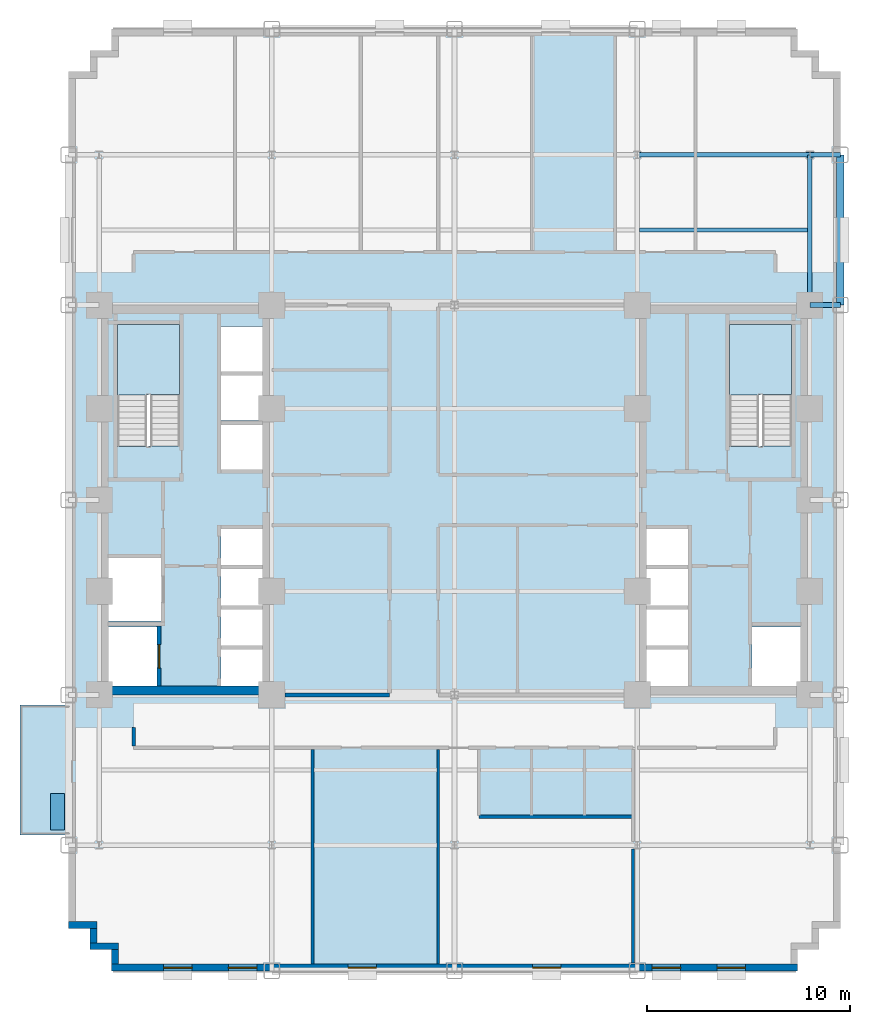
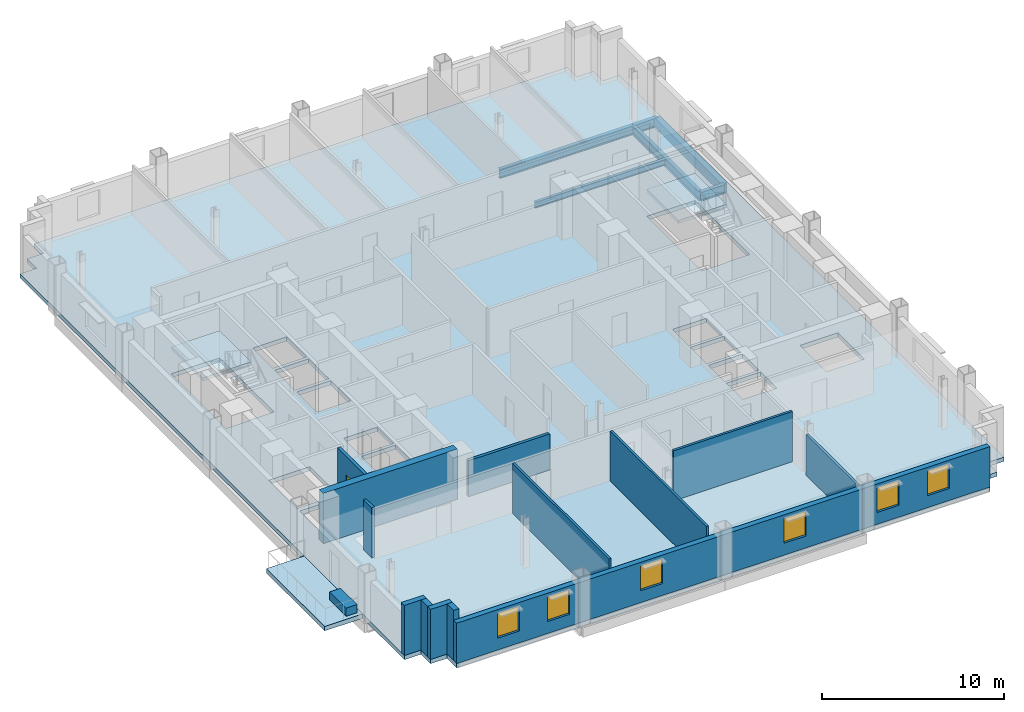
# One storey, part 4 of 12: 13 walls, 6 beams, 6 windows, 4 slabs, 1 door, 1 plate, 7 openings, 2 elements without a shape of their own.
"""IFC4 building model written with IfcOpenShell, lengths in metres."""

from ifc_helpers import new_model, si_unit, direction, frame, frame_2d, origin, origin_2d, place, context, subcontext, project, spatial, polyline, rectangle, i_section, outline, extrude, source, transform, mapped, material, layer, layer_set, material_profile, profile_set, type_object, type_shapes, element, fill, aggregate, save


model = new_model("IFC4")

# Units and contexts
model_context = context("Model", 3, precision=1e-05, world=origin(), true_north=direction((0.0, 1.0)))
body_context = subcontext(model_context, "Body", "Model", "MODEL_VIEW")
ifc_project = project(units=[si_unit("LENGTHUNIT", "METRE"), si_unit("AREAUNIT", "SQUARE_METRE"), si_unit("VOLUMEUNIT", "CUBIC_METRE"), si_unit("PLANEANGLEUNIT", "RADIAN"), si_unit("MASSUNIT", "GRAM", prefix="KILO")], contexts=[model_context])

# Site, building, storey
site_placement = place(None, origin())
site = spatial("IfcSite", under=ifc_project, at=site_placement, CompositionType="ELEMENT")
building_placement = place(site_placement, origin())
building = spatial("IfcBuilding", under=site, at=building_placement, Name="Nuvemarco Arch Tower", CompositionType="ELEMENT")
storey_placement = place(building_placement, frame((0.0, 0.0, 34.89990234375)))
storey = spatial("IfcBuildingStorey", under=building, at=storey_placement, Name="L08", CompositionType="ELEMENT", Elevation=34.89990234375)

# Beams
ifc_material_1 = material(Name="Steel S355", Category="steel")
ifc_material_profile_1 = material_profile(ifc_material_1, i_section(OverallWidth=0.22998046875, OverallDepth=0.616943359375, WebThickness=0.01318359375, FlangeThickness=0.022216796875, FilletRadius=0.01611328125, at=origin_2d()), Name="W610x140")
ifc_profile_set_1 = profile_set([ifc_material_profile_1], Name="Steel S355")
beam_type_1 = type_object("IfcBeamType", Name="BM-GIRD-610", PredefinedType="BEAM", material=ifc_profile_set_1)
beam_1_placement = place(storey_placement, frame((17.5, 9.60009765625, -0.58837890625), z_axis=(0.0, 1.0, 0.0), x_axis=(-1.0, 0.0, 0.0)))
element("IfcBeam", 1, at=beam_1_placement, inside=storey, type_object=beam_type_1, Name="L08 structural beam BGNS_L08_0_+17.5_+9.6", PredefinedType="BEAM", context=body_context, shape_type="SweptSolid", body=[
    extrude(i_section(OverallWidth=0.22998046875, OverallDepth=0.616943359375, WebThickness=0.01318359375, FlangeThickness=0.022216796875, FilletRadius=0.01611328125, at=origin_2d()), origin(), (0.0, 0.0, 1.0), 7.39990234375),
])
beam_2_placement = place(storey_placement, frame((17.5, 9.60009765625, -0.58837890625), z_axis=(1.0, 0.0, 0.0), x_axis=(0.0, 1.0, 0.0)))
element("IfcBeam", 2, at=beam_2_placement, inside=storey, type_object=beam_type_1, Name="L08 structural beam BGEW_L08_0_+9.6_+17.5", PredefinedType="BEAM", context=body_context, shape_type="SweptSolid", body=[
    extrude(i_section(OverallWidth=0.22998046875, OverallDepth=0.616943359375, WebThickness=0.01318359375, FlangeThickness=0.022216796875, FilletRadius=0.01611328125, at=origin_2d()), origin(), (0.0, 0.0, 1.0), 1.5),
])
beam_3_placement = place(storey_placement, frame((9.0, 17.0, -0.58837890625), z_axis=(1.0, 0.0, 0.0), x_axis=(0.0, 1.0, 0.0)))
element("IfcBeam", 3, at=beam_3_placement, inside=storey, type_object=beam_type_1, Name="L08 structural beam BGEW_L08_0_+17.0_+9.0", PredefinedType="BEAM", context=body_context, shape_type="SweptSolid", body=[
    extrude(i_section(OverallWidth=0.22998046875, OverallDepth=0.616943359375, WebThickness=0.01318359375, FlangeThickness=0.022216796875, FilletRadius=0.01611328125, at=origin_2d()), origin(), (0.0, 0.0, 1.0), 8.5),
])
beam_4_placement = place(storey_placement, frame((17.5, 17.0, -0.58837890625), z_axis=(1.0, 0.0, 0.0), x_axis=(0.0, 1.0, 0.0)))
element("IfcBeam", 4, at=beam_4_placement, inside=storey, type_object=beam_type_1, Name="L08 structural beam BGEW_L08_0_+17.0_+17.5", PredefinedType="BEAM", context=body_context, shape_type="SweptSolid", body=[
    extrude(i_section(OverallWidth=0.22998046875, OverallDepth=0.616943359375, WebThickness=0.01318359375, FlangeThickness=0.022216796875, FilletRadius=0.01611328125, at=origin_2d()), origin(), (0.0, 0.0, 1.0), 1.5),
])
ifc_material_profile_2 = material_profile(ifc_material_1, i_section(OverallWidth=0.179931640625, OverallDepth=0.4130859375, WebThickness=0.009765625, FlangeThickness=0.01611328125, FilletRadius=0.014892578125, at=origin_2d()), Name="W410x75")
ifc_profile_set_2 = profile_set([ifc_material_profile_2], Name="Steel S355")
beam_type_2 = type_object("IfcBeamType", Name="BM-JOIST-410", PredefinedType="JOIST", material=ifc_profile_set_2)
beam_5_placement = place(storey_placement, frame((9.114990234375, 13.300048828125, -0.486328125), z_axis=(1.0, 0.0, 0.0), x_axis=(0.0, 1.0, 0.0)))
element("IfcBeam", 5, at=beam_5_placement, inside=storey, type_object=beam_type_2, Name="L08 structural beam BJ_L08_0_+13.3_+9.0", PredefinedType="JOIST", context=body_context, shape_type="SweptSolid", body=[
    extrude(i_section(OverallWidth=0.179931640625, OverallDepth=0.4130859375, WebThickness=0.009765625, FlangeThickness=0.01611328125, FilletRadius=0.014892578125, at=origin_2d()), origin(), (0.0, 0.0, 1.0), 8.27001953125),
])
ifc_material_2 = material(Name="Precast concrete C45/55", Category="concrete")
ifc_material_profile_3 = material_profile(ifc_material_2, rectangle(XDim=0.35009765625, YDim=0.64990234375, at=origin_2d()), Name="PC-SP-350x650")
ifc_profile_set_3 = profile_set([ifc_material_profile_3], Name="Precast concrete C45/55")
beam_type_3 = type_object("IfcBeamType", Name="BM-SPAN-RC", PredefinedType="SPANDREL", material=ifc_profile_set_3)
beam_6_placement = place(storey_placement, frame((19.0, 9.60009765625, -0.60498046875), z_axis=(0.0, 1.0, 0.0), x_axis=(-1.0, 0.0, 0.0)))
element("IfcBeam", 6, at=beam_6_placement, inside=storey, type_object=beam_type_3, Name="L08 structural beam BGNS_L08_0_+19.0_+9.6", PredefinedType="SPANDREL", context=body_context, shape_type="SweptSolid", body=[
    extrude(rectangle(XDim=0.35009765625, YDim=0.64990234375, at=origin_2d()), origin(), (0.0, 0.0, 1.0), 7.39990234375),
])

# Slab
ifc_material_3 = material(Name="Concrete C50/60", Category="concrete")
ifc_layer_1 = layer(ifc_material_3, 0.280029296875, Name="SL-FLR-280")
ifc_layer_set_1 = layer_set([ifc_layer_1], Name="Concrete C50/60")
slab_type_1 = type_object("IfcSlabType", Name="SL-FLR-280", PredefinedType="FLOOR", material=ifc_layer_set_1)
slab_1_placement = place(storey_placement, frame((0.0, 0.0, -0.27978515625)))
element("IfcSlab", 7, at=slab_1_placement, inside=storey, type_object=slab_type_1, Name="L08 structural floor slab", PredefinedType="FLOOR", context=body_context, shape_type="SweptSolid", body=[
    extrude(outline(polyline([(-16.89990234375, -23.199951171875), (16.89990234375, -23.199951171875), (16.89990234375, -22.14990234375), (17.949951171875, -22.14990234375), (17.949951171875, -21.10009765625), (19.0, -21.10009765625), (19.0, 21.10009765625), (17.949951171875, 21.10009765625), (17.949951171875, 22.14990234375), (16.89990234375, 22.14990234375), (16.89990234375, 23.199951171875), (-16.89990234375, 23.199951171875), (-16.89990234375, 22.14990234375), (-17.949951171875, 22.14990234375), (-17.949951171875, 21.10009765625), (-19.0, 21.10009765625), (-19.0, -21.10009765625), (-17.949951171875, -21.10009765625), (-17.949951171875, -22.14990234375), (-16.89990234375, -22.14990234375), (-16.89990234375, -23.199951171875)]), holes=[polyline([(-13.5400390625, 2.669921875), (-13.5400390625, 8.64990234375), (-16.60009765625, 8.64990234375), (-16.60009765625, 2.630615234375), (-15.070068359375, 2.630615234375), (-15.070068359375, 2.669921875), (-13.5400390625, 2.669921875)]), polyline([(16.60009765625, 2.669921875), (16.60009765625, 8.64990234375), (13.5400390625, 8.64990234375), (13.5400390625, 2.630615234375), (15.070068359375, 2.630615234375), (15.070068359375, 2.669921875), (16.60009765625, 2.669921875)]), polyline([(-17.050048828125, -9.14990234375), (-14.64990234375, -9.14990234375), (-14.64990234375, -6.25), (-17.050048828125, -6.25), (-17.050048828125, -9.14990234375)]), polyline([(-17.050048828125, -5.949951171875), (-14.449951171875, -5.949951171875), (-14.449951171875, -2.85009765625), (-17.050048828125, -2.85009765625), (-17.050048828125, -5.949951171875)]), polyline([(-11.5, -9.14990234375), (-9.35009765625, -9.14990234375), (-9.35009765625, -7.3701171875), (-11.5, -7.3701171875), (-11.5, -9.14990234375)]), polyline([(-11.5, -7.169921875), (-9.35009765625, -7.169921875), (-9.35009765625, -5.389892578125), (-11.5, -5.389892578125), (-11.5, -7.169921875)]), polyline([(-11.5, -5.18994140625), (-9.35009765625, -5.18994140625), (-9.35009765625, -3.409912109375), (-11.5, -3.409912109375), (-11.5, -5.18994140625)]), polyline([(-11.5, -3.2099609375), (-9.35009765625, -3.2099609375), (-9.35009765625, -1.429931640625), (-11.5, -1.429931640625), (-11.5, -3.2099609375)]), polyline([(-11.5, 1.5), (-9.35009765625, 1.5), (-9.35009765625, 3.699951171875), (-11.5, 3.699951171875), (-11.5, 1.5)]), polyline([(-11.5, 3.919921875), (-9.35009765625, 3.919921875), (-9.35009765625, 6.1201171875), (-11.5, 6.1201171875), (-11.5, 3.919921875)]), polyline([(-11.5, 6.340087890625), (-9.35009765625, 6.340087890625), (-9.35009765625, 8.5400390625), (-11.5, 8.5400390625), (-11.5, 6.340087890625)]), polyline([(14.64990234375, -9.14990234375), (17.050048828125, -9.14990234375), (17.050048828125, -6.25), (14.64990234375, -6.25), (14.64990234375, -9.14990234375)]), polyline([(9.35009765625, -9.14990234375), (11.5, -9.14990234375), (11.5, -7.3701171875), (9.35009765625, -7.3701171875), (9.35009765625, -9.14990234375)]), polyline([(9.35009765625, -7.169921875), (11.5, -7.169921875), (11.5, -5.389892578125), (9.35009765625, -5.389892578125), (9.35009765625, -7.169921875)]), polyline([(9.35009765625, -5.18994140625), (11.5, -5.18994140625), (11.5, -3.409912109375), (9.35009765625, -3.409912109375), (9.35009765625, -5.18994140625)]), polyline([(9.35009765625, -3.2099609375), (11.5, -3.2099609375), (11.5, -1.429931640625), (9.35009765625, -1.429931640625), (9.35009765625, -3.2099609375)])]), origin(), (0.0, 0.0, 1.0), 0.27978515625),
])

# Stair, slab
stair_type = type_object("IfcStairType", Name="ST-CORE-20R", PredefinedType="HALF_TURN_STAIR", material=ifc_material_2)
stair_1_placement = place(storey_placement, origin())
stair_1 = element("IfcStair", 8, at=stair_1_placement, inside=storey, type_object=stair_type, Name="L08 Protected Exit Stair ST-1", PredefinedType="HALF_TURN_STAIR")
ifc_layer_2 = layer(ifc_material_2, 0.199951171875, Name="SL-LANDING-200")
ifc_layer_set_2 = layer_set([ifc_layer_2], Name="Precast concrete C45/55")
slab_type_2 = type_object("IfcSlabType", Name="SL-LANDING-200", PredefinedType="LANDING", material=ifc_layer_set_2)
slab_2_placement = place(storey_placement, frame((0.0, 0.0, 1.625)))
slab_2 = element("IfcSlab", 9, at=slab_2_placement, type_object=slab_type_2, Name="ST-20R landing 1", PredefinedType="LANDING", context=body_context, shape_type="SweptSolid", body=[
    extrude(outline(polyline([(-13.5400390625, 5.189453125), (-13.5400390625, 8.64990234375), (-16.60009765625, 8.64990234375), (-16.60009765625, 5.169921875), (-15.070068359375, 5.169921875), (-15.070068359375, 5.189453125), (-13.5400390625, 5.189453125)])), origin(), (0.0, 0.0, 1.0), 0.2001953125),
])
aggregate(stair_1, [slab_2])

stair_2_placement = place(storey_placement, origin())
stair_2 = element("IfcStair", 10, at=stair_2_placement, inside=storey, type_object=stair_type, Name="L08 Protected Exit Stair ST-2", PredefinedType="HALF_TURN_STAIR")
slab_3_placement = place(storey_placement, frame((0.0, 0.0, 1.625)))
slab_3 = element("IfcSlab", 11, at=slab_3_placement, type_object=slab_type_2, Name="ST-20R landing 1", PredefinedType="LANDING", context=body_context, shape_type="SweptSolid", body=[
    extrude(outline(polyline([(16.60009765625, 5.189453125), (16.60009765625, 8.64990234375), (13.5400390625, 8.64990234375), (13.5400390625, 5.169921875), (15.070068359375, 5.169921875), (15.070068359375, 5.189453125), (16.60009765625, 5.189453125)])), origin(), (0.0, 0.0, 1.0), 0.2001953125),
])
aggregate(stair_2, [slab_3])

# Slab
ifc_layer_3 = layer(ifc_material_3, 0.294921875, Name="SL-TR4")
ifc_layer_set_3 = layer_set([ifc_layer_3], Name="Concrete C50/60")
slab_type_3 = type_object("IfcSlabType", Name="SL-TR4", PredefinedType="FLOOR", material=ifc_layer_set_3)
slab_4_placement = place(storey_placement, frame((0.0, 0.0, -0.294921875)))
element("IfcSlab", 12, at=slab_4_placement, inside=storey, type_object=slab_type_3, Name="L08 outdoor spiral terrace slab 1", PredefinedType="FLOOR", context=body_context, shape_type="SweptSolid", body=[
    extrude(outline(polyline([(-21.39990234375, -16.5), (-19.0, -16.5), (-19.0, -10.10009765625), (-21.39990234375, -10.10009765625), (-21.39990234375, -16.5)])), origin(), (0.0, 0.0, 1.0), 0.294921875),
])

# Plate
ifc_layer_4 = layer(ifc_material_2, 0.550048828125, Name="Tree Balcony Structural Planter")
ifc_layer_set_4 = layer_set([ifc_layer_4], Name="Precast concrete C45/55")
plate_type = type_object("IfcPlateType", Name="Tree Balcony Structural Planter", PredefinedType="USERDEFINED", material=ifc_layer_set_4)
shared_shape_1 = source(origin(), body_context, "Body", "SweptSolid", [
    extrude(rectangle(XDim=1.800048828125, YDim=0.699951171875, at=origin_2d()), origin(), (0.0, 0.0, 1.0), 0.550048828125),
])
type_shapes(plate_type, [shared_shape_1])
plate_placement = place(storey_placement, frame((-19.550048828125, -15.35009765625, 0.0), z_axis=(0.0, 0.0, 1.0), x_axis=(0.0, 1.0, 0.0)))
element("IfcPlate", 13, at=plate_placement, inside=storey, type_object=plate_type, Name="L08 Tree Balcony Structural Planter", ObjectType="PLANTER", PredefinedType="USERDEFINED", context=body_context, shape_type="MappedRepresentation", body=[
    mapped(shared_shape_1, transform((0.0, 0.0, 0.0), scale=1.0)),
])

# Wall, openings, windows
ifc_layer_5 = layer(ifc_material_2, 0.340087890625, Name="EW-LOW-340")
ifc_layer_set_5 = layer_set([ifc_layer_5], Name="Precast concrete C45/55")
wall_type_1 = type_object("IfcWallType", Name="EW-LOW-340", PredefinedType="STANDARD", material=ifc_layer_set_5)
wall_1_placement = place(storey_placement, frame((-16.89990234375, -23.030029296875, 0.0), z_axis=(0.0, 0.0, 1.0), x_axis=(1.0, 0.0, 0.0)))
wall_1 = element("IfcWall", 14, at=wall_1_placement, inside=storey, type_object=wall_type_1, Name="L08 exterior precast facade wall 1", PredefinedType="STANDARD", context=body_context, shape_type="SweptSolid", body=[
    extrude(rectangle(XDim=33.7998046875, YDim=0.340087890625, at=frame_2d((16.89990234375, 0.0))), origin(), (0.0, 0.0, 1.0), 2.705078125),
])
opening_1_placement = place(wall_1_placement, frame((2.5712890625, 0.0, 0.800048828125)))
opening_1 = element("IfcOpeningElement", 15, at=opening_1_placement, cuts=wall_1, Name="Opening WN-4", PredefinedType="OPENING", context=body_context, shape_type="SweptSolid", body=[
    extrude(rectangle(XDim=1.39990234375, YDim=1.64990234375, at=frame_2d((0.699951171875, 0.824951171875))), frame((0.0, 0.179931640625, 0.0), z_axis=(0.0, -1.0, 0.0), x_axis=(1.0, 0.0, 0.0)), (0.0, 0.0, 1.0), 0.360107421875),
])
opening_2_placement = place(wall_1_placement, frame((5.764404296875, 0.0, 0.800048828125)))
opening_2 = element("IfcOpeningElement", 16, at=opening_2_placement, cuts=wall_1, Name="Opening WN-4", PredefinedType="OPENING", context=body_context, shape_type="SweptSolid", body=[
    extrude(rectangle(XDim=1.39990234375, YDim=1.64990234375, at=frame_2d((0.699951171875, 0.824951171875))), frame((0.0, 0.179931640625, 0.0), z_axis=(0.0, -1.0, 0.0), x_axis=(1.0, 0.0, 0.0)), (0.0, 0.0, 1.0), 0.360107421875),
])
opening_3_placement = place(wall_1_placement, frame((11.656982421875, 0.0, 0.800048828125)))
opening_3 = element("IfcOpeningElement", 17, at=opening_3_placement, cuts=wall_1, Name="Opening WN-4", PredefinedType="OPENING", context=body_context, shape_type="SweptSolid", body=[
    extrude(rectangle(XDim=1.39990234375, YDim=1.64990234375, at=frame_2d((0.699951171875, 0.824951171875))), frame((0.0, 0.179931640625, 0.0), z_axis=(0.0, -1.0, 0.0), x_axis=(1.0, 0.0, 0.0)), (0.0, 0.0, 1.0), 0.360107421875),
])
opening_4_placement = place(wall_1_placement, frame((20.742919921875, 0.0, 0.800048828125)))
opening_4 = element("IfcOpeningElement", 18, at=opening_4_placement, cuts=wall_1, Name="Opening WN-4", PredefinedType="OPENING", context=body_context, shape_type="SweptSolid", body=[
    extrude(rectangle(XDim=1.39990234375, YDim=1.64990234375, at=frame_2d((0.699951171875, 0.824951171875))), frame((0.0, 0.179931640625, 0.0), z_axis=(0.0, -1.0, 0.0), x_axis=(1.0, 0.0, 0.0)), (0.0, 0.0, 1.0), 0.360107421875),
])
opening_5_placement = place(wall_1_placement, frame((26.6357421875, 0.0, 0.800048828125)))
opening_5 = element("IfcOpeningElement", 19, at=opening_5_placement, cuts=wall_1, Name="Opening WN-4", PredefinedType="OPENING", context=body_context, shape_type="SweptSolid", body=[
    extrude(rectangle(XDim=1.39990234375, YDim=1.64990234375, at=frame_2d((0.699951171875, 0.824951171875))), frame((0.0, 0.179931640625, 0.0), z_axis=(0.0, -1.0, 0.0), x_axis=(1.0, 0.0, 0.0)), (0.0, 0.0, 1.0), 0.360107421875),
])
opening_6_placement = place(wall_1_placement, frame((29.82861328125, 0.0, 0.800048828125)))
opening_6 = element("IfcOpeningElement", 20, at=opening_6_placement, cuts=wall_1, Name="Opening WN-4", PredefinedType="OPENING", context=body_context, shape_type="SweptSolid", body=[
    extrude(rectangle(XDim=1.39990234375, YDim=1.64990234375, at=frame_2d((0.699951171875, 0.824951171875))), frame((0.0, 0.179931640625, 0.0), z_axis=(0.0, -1.0, 0.0), x_axis=(1.0, 0.0, 0.0)), (0.0, 0.0, 1.0), 0.360107421875),
])
ifc_material_4 = material(Name="Insulated solar-control glass", Category="glass")
window_type = type_object("IfcWindowType", Name="WN-LOW-1400x1650", PartitioningType="SINGLE_PANEL", PredefinedType="WINDOW", material=ifc_material_4)
shared_shape_2 = source(origin(), body_context, "Body", "SweptSolid", [
    extrude(rectangle(XDim=1.39990234375, YDim=1.64990234375, at=frame_2d((0.699951171875, 0.824951171875))), frame((0.0, 0.030029296875, 0.0), z_axis=(0.0, -1.0, 0.0), x_axis=(1.0, 0.0, 0.0)), (0.0, 0.0, 1.0), 0.06005859375),
])
type_shapes(window_type, [shared_shape_2])
window_1_placement = place(opening_1_placement, origin())
window_1 = element("IfcWindow", 21, at=window_1_placement, inside=storey, type_object=window_type, Name="L08 punched facade window 1", OverallHeight=1.64990234375, OverallWidth=1.39990234375, PartitioningType="SINGLE_PANEL", PredefinedType="WINDOW", context=body_context, shape_type="MappedRepresentation", body=[
    mapped(shared_shape_2, transform((0.0, 0.0, 0.0), scale=1.0)),
])
fill(opening_1, window_1)
window_2_placement = place(opening_2_placement, origin())
window_2 = element("IfcWindow", 22, at=window_2_placement, inside=storey, type_object=window_type, Name="L08 punched facade window 2", OverallHeight=1.64990234375, OverallWidth=1.39990234375, PartitioningType="SINGLE_PANEL", PredefinedType="WINDOW", context=body_context, shape_type="MappedRepresentation", body=[
    mapped(shared_shape_2, transform((0.0, 0.0, 0.0), scale=1.0)),
])
fill(opening_2, window_2)
window_3_placement = place(opening_3_placement, origin())
window_3 = element("IfcWindow", 23, at=window_3_placement, inside=storey, type_object=window_type, Name="L08 punched facade window 3", OverallHeight=1.64990234375, OverallWidth=1.39990234375, PartitioningType="SINGLE_PANEL", PredefinedType="WINDOW", context=body_context, shape_type="MappedRepresentation", body=[
    mapped(shared_shape_2, transform((0.0, 0.0, 0.0), scale=1.0)),
])
fill(opening_3, window_3)
window_4_placement = place(opening_4_placement, origin())
window_4 = element("IfcWindow", 24, at=window_4_placement, inside=storey, type_object=window_type, Name="L08 punched facade window 5", OverallHeight=1.64990234375, OverallWidth=1.39990234375, PartitioningType="SINGLE_PANEL", PredefinedType="WINDOW", context=body_context, shape_type="MappedRepresentation", body=[
    mapped(shared_shape_2, transform((0.0, 0.0, 0.0), scale=1.0)),
])
fill(opening_4, window_4)
window_5_placement = place(opening_5_placement, origin())
window_5 = element("IfcWindow", 25, at=window_5_placement, inside=storey, type_object=window_type, Name="L08 punched facade window 6", OverallHeight=1.64990234375, OverallWidth=1.39990234375, PartitioningType="SINGLE_PANEL", PredefinedType="WINDOW", context=body_context, shape_type="MappedRepresentation", body=[
    mapped(shared_shape_2, transform((0.0, 0.0, 0.0), scale=1.0)),
])
fill(opening_5, window_5)
window_6_placement = place(opening_6_placement, origin())
window_6 = element("IfcWindow", 26, at=window_6_placement, inside=storey, type_object=window_type, Name="L08 punched facade window 7", OverallHeight=1.64990234375, OverallWidth=1.39990234375, PartitioningType="SINGLE_PANEL", PredefinedType="WINDOW", context=body_context, shape_type="MappedRepresentation", body=[
    mapped(shared_shape_2, transform((0.0, 0.0, 0.0), scale=1.0)),
])
fill(opening_6, window_6)

# Walls
wall_2_placement = place(storey_placement, frame((-19.0, -20.929931640625, 0.0), z_axis=(0.0, 0.0, 1.0), x_axis=(1.0, 0.0, 0.0)))
element("IfcWall", 27, at=wall_2_placement, inside=storey, type_object=wall_type_1, Name="L08 exterior precast facade wall 17", PredefinedType="STANDARD", context=body_context, shape_type="SweptSolid", body=[
    extrude(rectangle(XDim=1.389892578125, YDim=0.340087890625, at=frame_2d((0.69482421875, 0.0))), origin(), (0.0, 0.0, 1.0), 3.360107421875),
])
wall_3_placement = place(storey_placement, frame((-17.780029296875, -21.81396484375, 0.0), z_axis=(0.0, 0.0, 1.0), x_axis=(0.0, 1.0, 0.0)))
element("IfcWall", 28, at=wall_3_placement, inside=storey, type_object=wall_type_1, Name="L08 exterior precast facade wall 18", PredefinedType="STANDARD", context=body_context, shape_type="SweptSolid", body=[
    extrude(rectangle(XDim=0.718017578125, YDim=0.340087890625, at=frame_2d((0.35888671875, 0.0))), origin(), (0.0, 0.0, 1.0), 3.360107421875),
])
wall_4_placement = place(storey_placement, frame((-17.949951171875, -21.97998046875, 0.0), z_axis=(0.0, 0.0, 1.0), x_axis=(1.0, 0.0, 0.0)))
element("IfcWall", 29, at=wall_4_placement, inside=storey, type_object=wall_type_1, Name="L08 exterior precast facade wall 19", PredefinedType="STANDARD", context=body_context, shape_type="SweptSolid", body=[
    extrude(rectangle(XDim=1.389892578125, YDim=0.340087890625, at=frame_2d((0.69482421875, 0.0))), origin(), (0.0, 0.0, 1.0), 3.360107421875),
])
wall_5_placement = place(storey_placement, frame((-16.72998046875, -22.864013671875, 0.0), z_axis=(0.0, 0.0, 1.0), x_axis=(0.0, 1.0, 0.0)))
element("IfcWall", 30, at=wall_5_placement, inside=storey, type_object=wall_type_1, Name="L08 exterior precast facade wall 20", PredefinedType="STANDARD", context=body_context, shape_type="SweptSolid", body=[
    extrude(rectangle(XDim=0.718017578125, YDim=0.340087890625, at=frame_2d((0.35888671875, 0.0))), origin(), (0.0, 0.0, 1.0), 3.360107421875),
])
ifc_material_5 = material(Name="Concrete C60/75", Category="concrete")
ifc_layer_6 = layer(ifc_material_5, 0.449951171875, Name="WL-CORE-450")
ifc_layer_set_6 = layer_set([ifc_layer_6], Name="Concrete C60/75")
wall_type_2 = type_object("IfcWallType", Name="WL-CORE-450", PredefinedType="SHEAR", material=ifc_layer_set_6)
wall_6_placement = place(storey_placement, frame((-17.5, -9.375, 0.0), z_axis=(0.0, 0.0, 1.0), x_axis=(1.0, 0.0, 0.0)))
element("IfcWall", 31, at=wall_6_placement, inside=storey, type_object=wall_type_2, Name="L08 W-core shear wall S", PredefinedType="SHEAR", context=body_context, shape_type="SweptSolid", body=[
    extrude(rectangle(XDim=8.5, YDim=0.449951171875, at=frame_2d((4.25, 0.0))), origin(), (0.0, 0.0, 1.0), 3.3701171875),
])
ifc_material_6 = material(Name="Fire-rated gypsum drywall partition")
ifc_layer_7 = layer(ifc_material_6, 0.179931640625, Name="WL-CORR-180")
ifc_layer_set_7 = layer_set([ifc_layer_7], Name="Fire-rated gypsum drywall partition")
wall_type_3 = type_object("IfcWallType", Name="WL-CORR-180", PredefinedType="PARTITIONING", material=ifc_layer_set_7)
wall_7_placement = place(storey_placement, frame((-8.35400390625, -9.60009765625, 0.0), z_axis=(0.0, 0.0, 1.0), x_axis=(1.0, 0.0, 0.0)))
element("IfcWall", 32, at=wall_7_placement, inside=storey, type_object=wall_type_3, Name="L08 interior wall IW-L08-004", PredefinedType="PARTITIONING", context=body_context, shape_type="SweptSolid", body=[
    extrude(rectangle(XDim=5.154052734375, YDim=0.179931640625, at=frame_2d((2.5771484375, 0.0))), origin(), (0.0, 0.0, 1.0), 2.405029296875),
])
wall_8_placement = place(storey_placement, frame((-15.800048828125, -12.114013671875, 0.0), z_axis=(0.0, 0.0, 1.0), x_axis=(0.0, 1.0, 0.0)))
element("IfcWall", 33, at=wall_8_placement, inside=storey, type_object=wall_type_3, Name="L08 interior wall IW-L08-016", PredefinedType="PARTITIONING", context=body_context, shape_type="SweptSolid", body=[
    extrude(rectangle(XDim=0.9140625, YDim=0.179931640625, at=frame_2d((0.45703125, 0.0))), origin(), (0.0, 0.0, 1.0), 3.360107421875),
])
ifc_material_7 = material(Name="Gypsum plasterboard partition")
ifc_layer_8 = layer(ifc_material_7, 0.139892578125, Name="WL-ROOM-140")
ifc_layer_set_8 = layer_set([ifc_layer_8], Name="Gypsum plasterboard partition")
wall_type_4 = type_object("IfcWallType", Name="WL-ROOM-140", PredefinedType="PARTITIONING", material=ifc_layer_set_8)
for number, where, z_axis, x_axis, name in (
    (34, (-6.989990234375, -22.860107421875, 0.0), (0.0, 0.0, 1.0), (0.0, 1.0, 0.0), "L08 interior wall IW-L08-019"),
    (35, (-0.800048828125, -22.860107421875, 0.0), (0.0, 0.0, 1.0), (0.0, 1.0, 0.0), "L08 interior wall IW-L08-023"),
):
    element("IfcWall", number, at=place(storey_placement, frame(where, z_axis=z_axis, x_axis=x_axis)), inside=storey, type_object=wall_type_4, Name=name, PredefinedType="PARTITIONING", context=body_context, shape_type="SweptSolid", body=[
        extrude(rectangle(XDim=10.57421875, YDim=0.139892578125, at=frame_2d((5.287109375, 0.0))), origin(), (0.0, 0.0, 1.0), 3.360107421875),
    ])

# Wall, opening, door
ifc_layer_9 = layer(ifc_material_3, 0.199951171875, Name="WL-SHAFT-220")
ifc_layer_set_9 = layer_set([ifc_layer_9], Name="Concrete C50/60")
wall_type_5 = type_object("IfcWallType", Name="WL-SHAFT-220", PredefinedType="SHEAR", material=ifc_layer_set_9)
wall_9_placement = place(storey_placement, frame((-14.550048828125, -9.155029296875, 0.0), z_axis=(0.0, 0.0, 1.0), x_axis=(0.0, 1.0, 0.0)))
wall_9 = element("IfcWall", 36, at=wall_9_placement, inside=storey, type_object=wall_type_5, Name="L08 structural shaft wall SW-L08-W-SHE", PredefinedType="SHEAR", context=body_context, shape_type="SweptSolid", body=[
    extrude(rectangle(XDim=2.9599609375, YDim=0.199951171875, at=frame_2d((1.47998046875, 0.0))), origin(), (0.0, 0.0, 1.0), 3.3701171875),
])
opening_7_placement = place(wall_9_placement, frame((0.8798828125, 0.0, 0.0)))
opening_7 = element("IfcOpeningElement", 37, at=opening_7_placement, cuts=wall_9, Name="Opening LD-2", PredefinedType="OPENING", context=body_context, shape_type="SweptSolid", body=[
    extrude(rectangle(XDim=1.14990234375, YDim=2.14990234375, at=frame_2d((0.574951171875, 1.074951171875))), frame((0.0, 0.10986328125, 0.0), z_axis=(0.0, -1.0, 0.0), x_axis=(1.0, 0.0, 0.0)), (0.0, 0.0, 1.0), 0.219970703125),
])
ifc_material_8 = material(Name="Stainless steel lift door", Category="steel")
door_type = type_object("IfcDoorType", Name="DR-LIFT-FIRE", OperationType="DOUBLE_DOOR_SLIDING", PredefinedType="DOOR", material=ifc_material_8)
shared_shape_3 = source(origin(), body_context, "Body", "SweptSolid", [
    extrude(rectangle(XDim=1.14990234375, YDim=2.14990234375, at=frame_2d((0.574951171875, 1.074951171875))), frame((0.0, 0.02490234375, 0.0), z_axis=(0.0, -1.0, 0.0), x_axis=(1.0, 0.0, 0.0)), (0.0, 0.0, 1.0), 0.050048828125),
])
type_shapes(door_type, [shared_shape_3])
door_placement = place(opening_7_placement, origin())
door = element("IfcDoor", 38, at=door_placement, inside=storey, type_object=door_type, Name="L08 Lift landing sliding door FFL-1", OperationType="DOUBLE_DOOR_SLIDING", OverallHeight=2.14990234375, OverallWidth=1.14990234375, PredefinedType="DOOR", context=body_context, shape_type="MappedRepresentation", body=[
    mapped(shared_shape_3, transform((0.0, 0.0, 0.0), scale=1.0)),
])
fill(opening_7, door)

# Walls
ifc_material_9 = material(Name="Moisture-resistant gypsum partition")
ifc_layer_10 = layer(ifc_material_9, 0.14990234375, Name="WL-WET-150")
ifc_layer_set_10 = layer_set([ifc_layer_10], Name="Moisture-resistant gypsum partition")
wall_type_6 = type_object("IfcWallType", Name="WL-WET-150", PredefinedType="PARTITIONING", material=ifc_layer_set_10)
wall_10_placement = place(storey_placement, frame((1.199951171875, -15.60009765625, 0.0), z_axis=(0.0, 0.0, 1.0), x_axis=(1.0, 0.0, 0.0)))
element("IfcWall", 39, at=wall_10_placement, inside=storey, type_object=wall_type_6, Name="L08 interior wall IW-L08-001", PredefinedType="PARTITIONING", context=body_context, shape_type="SweptSolid", body=[
    extrude(rectangle(XDim=7.533935546875, YDim=0.14990234375, at=frame_2d((3.76708984375, 0.0))), origin(), (0.0, 0.0, 1.0), 3.360107421875),
])
wall_11_placement = place(storey_placement, frame((8.800048828125, -22.803955078125, 0.0), z_axis=(0.0, 0.0, 1.0), x_axis=(0.0, 1.0, 0.0)))
element("IfcWall", 40, at=wall_11_placement, inside=storey, type_object=wall_type_6, Name="L08 interior wall IW-L08-033", PredefinedType="PARTITIONING", context=body_context, shape_type="SweptSolid", body=[
    extrude(rectangle(XDim=5.6279296875, YDim=0.14990234375, at=frame_2d((2.81396484375, 0.0))), origin(), (0.0, 0.0, 1.0), 2.738037109375),
])

save(model, "model.ifc")
